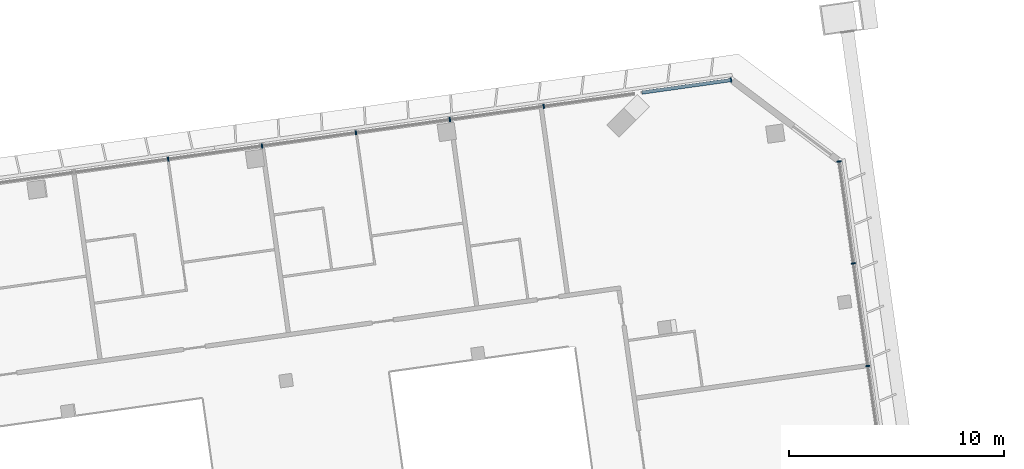
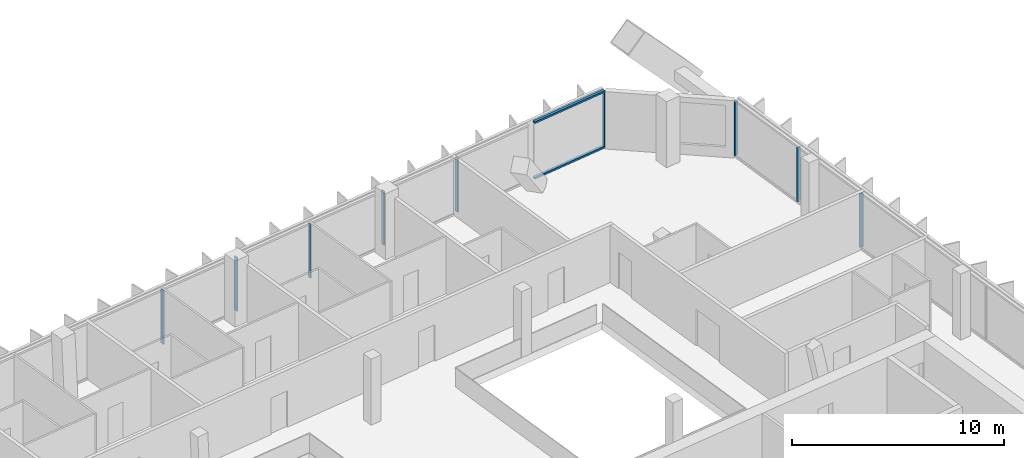
# One storey, part 14 of 29: 11 members, 2 elements without a shape of their own.
"""IFC4 building model written with IfcOpenShell, lengths in metres."""

from ifc_helpers import new_model, si_unit, direction, frame, origin, origin_2d, place, context, subcontext, project, spatial, rectangle, extrude, material, material_profile, profile_set, type_object, element, aggregate, save


model = new_model("IFC4")

# Units and contexts
model_context = context("Model", 3, precision=1e-05, world=origin(), true_north=direction((0.0, 1.0)))
body_context = subcontext(model_context, "Body", "Model", "MODEL_VIEW")
ifc_project = project(units=[si_unit("LENGTHUNIT", "METRE"), si_unit("AREAUNIT", "SQUARE_METRE"), si_unit("VOLUMEUNIT", "CUBIC_METRE"), si_unit("PLANEANGLEUNIT", "RADIAN"), si_unit("MASSUNIT", "GRAM", prefix="KILO")], contexts=[model_context])

# Site, building, storey
site_placement = place(None, origin())
site = spatial("IfcSite", under=ifc_project, at=site_placement, CompositionType="ELEMENT")
building_placement = place(site_placement, origin())
building = spatial("IfcBuilding", under=site, at=building_placement, Name="Mirante Cascada Hotel Towers", CompositionType="ELEMENT")
storey_placement = place(building_placement, frame((0.0, 0.0, 206.8)))
storey = spatial("IfcBuildingStorey", under=building, at=storey_placement, Name="L49", CompositionType="ELEMENT", Elevation=206.8)

# Curtain wall, members
ifc_material_1 = material(Name="Aluminium mullion and transom frame with clear laminated glass", Category="aluminium")
curtain_wall_type_1 = type_object("IfcCurtainWallType", Name="Ribbon curtain wall ECW1", PredefinedType="NOTDEFINED", material=ifc_material_1)
curtain_wall_1_placement = place(storey_placement, origin())
curtain_wall_1 = element("IfcCurtainWall", 1, at=curtain_wall_1_placement, inside=storey, type_object=curtain_wall_type_1, Name="Front ribbon wall T2 L49", PredefinedType="NOTDEFINED")
ifc_material_2 = material(Name="Anodised aluminium extrusion", Category="aluminium")
ifc_material_profile_1 = material_profile(ifc_material_2, rectangle(XDim=0.2, YDim=0.065, at=origin_2d()), Name="ECW1 MULLION 65x200")
ifc_profile_set_1 = profile_set([ifc_material_profile_1], Name="Anodised aluminium extrusion")
member_type_1 = type_object("IfcMemberType", Name="ECW1 mullion 65x200", PredefinedType="MULLION", material=ifc_profile_set_1)
member_1_placement = place(storey_placement, frame((76.3011, 23.5425, 0.1), z_axis=(0.0, 0.0, 1.0), x_axis=(0.1391731, -0.9902681, 0.0)))
member_1 = element("IfcMember", 2, at=member_1_placement, type_object=member_type_1, Name="ECW1 mullion 1", PredefinedType="MULLION", context=body_context, shape_type="SweptSolid", body=[
    extrude(rectangle(XDim=0.2, YDim=0.065, at=origin_2d()), origin(), (0.0, 0.0, 1.0), 3.1),
])
member_2_placement = place(storey_placement, frame((67.6077, 22.3207, 0.1), z_axis=(0.0, 0.0, 1.0), x_axis=(0.1391731, -0.9902681, 0.0)))
member_2 = element("IfcMember", 3, at=member_2_placement, type_object=member_type_1, Name="ECW1 mullion 3", PredefinedType="MULLION", context=body_context, shape_type="SweptSolid", body=[
    extrude(rectangle(XDim=0.2, YDim=0.065, at=origin_2d()), origin(), (0.0, 0.0, 1.0), 3.1),
])
member_3_placement = place(storey_placement, frame((63.2449, 21.7075, 0.1), z_axis=(0.0, 0.0, 1.0), x_axis=(0.1391731, -0.9902681, 0.0)))
member_3 = element("IfcMember", 4, at=member_3_placement, type_object=member_type_1, Name="ECW1 mullion 4", PredefinedType="MULLION", context=body_context, shape_type="SweptSolid", body=[
    extrude(rectangle(XDim=0.2, YDim=0.065, at=origin_2d()), origin(), (0.0, 0.0, 1.0), 3.1),
])
member_4_placement = place(storey_placement, frame((58.8821, 21.0944, 0.1), z_axis=(0.0, 0.0, 1.0), x_axis=(0.1391731, -0.9902681, 0.0)))
member_4 = element("IfcMember", 5, at=member_4_placement, type_object=member_type_1, Name="ECW1 mullion 5", PredefinedType="MULLION", context=body_context, shape_type="SweptSolid", body=[
    extrude(rectangle(XDim=0.2, YDim=0.065, at=origin_2d()), origin(), (0.0, 0.0, 1.0), 3.1),
])
member_5_placement = place(storey_placement, frame((54.5193, 20.4812, 0.1), z_axis=(0.0, 0.0, 1.0), x_axis=(0.1391731, -0.9902681, 0.0)))
member_5 = element("IfcMember", 6, at=member_5_placement, type_object=member_type_1, Name="ECW1 mullion 6", PredefinedType="MULLION", context=body_context, shape_type="SweptSolid", body=[
    extrude(rectangle(XDim=0.2, YDim=0.065, at=origin_2d()), origin(), (0.0, 0.0, 1.0), 3.1),
])
member_6_placement = place(storey_placement, frame((50.1566, 19.8681, 0.1), z_axis=(0.0, 0.0, 1.0), x_axis=(0.1391731, -0.9902681, 0.0)))
member_6 = element("IfcMember", 7, at=member_6_placement, type_object=member_type_1, Name="ECW1 mullion 7", PredefinedType="MULLION", context=body_context, shape_type="SweptSolid", body=[
    extrude(rectangle(XDim=0.2, YDim=0.065, at=origin_2d()), origin(), (0.0, 0.0, 1.0), 3.1),
])
ifc_material_3 = material(Name="Anodised aluminium extrusion", Category="aluminium")
ifc_material_profile_2 = material_profile(ifc_material_3, rectangle(XDim=0.16, YDim=0.1, at=origin_2d()), Name="ECW1 TRANSOM 100x160")
ifc_profile_set_2 = profile_set([ifc_material_profile_2], Name="Anodised aluminium extrusion")
member_type_2 = type_object("IfcMemberType", Name="ECW1 transom 100x160", PredefinedType="USERDEFINED", material=ifc_profile_set_2)
member_7_placement = place(storey_placement, frame((76.3333, 23.547, 0.05), z_axis=(-0.9902683, -0.1391714, 0.0), x_axis=(0.1391714, -0.9902683, 0.0)))
member_7 = element("IfcMember", 8, at=member_7_placement, type_object=member_type_2, Name="ECW1 sill transom", ObjectType="TRANSOM", PredefinedType="USERDEFINED", context=body_context, shape_type="SweptSolid", body=[
    extrude(rectangle(XDim=0.16, YDim=0.1, at=origin_2d()), origin(), (0.0, 0.0, 1.0), 4.207),
])
member_8_placement = place(storey_placement, frame((76.3333, 23.547, 3.25), z_axis=(-0.9902683, -0.1391714, 0.0), x_axis=(0.1391714, -0.9902683, 0.0)))
member_8 = element("IfcMember", 9, at=member_8_placement, type_object=member_type_2, Name="ECW1 head transom", ObjectType="TRANSOM", PredefinedType="USERDEFINED", context=body_context, shape_type="SweptSolid", body=[
    extrude(rectangle(XDim=0.16, YDim=0.1, at=origin_2d()), origin(), (0.0, 0.0, 1.0), 4.207),
])
aggregate(curtain_wall_1, [member_7, member_8, member_1, member_2, member_3, member_4, member_5, member_6])

ifc_material_4 = material(Name="Aluminium mullion and transom frame with clear laminated glass", Category="aluminium")
curtain_wall_type_2 = type_object("IfcCurtainWallType", Name="End ribbon curtain wall ECW2", PredefinedType="NOTDEFINED", material=ifc_material_4)
curtain_wall_2_placement = place(storey_placement, origin())
curtain_wall_2 = element("IfcCurtainWall", 10, at=curtain_wall_2_placement, inside=storey, type_object=curtain_wall_type_2, Name="Outer end wall T2 L49", PredefinedType="NOTDEFINED")
ifc_material_5 = material(Name="Anodised aluminium extrusion", Category="aluminium")
ifc_material_profile_3 = material_profile(ifc_material_5, rectangle(XDim=0.2, YDim=0.065, at=origin_2d()), Name="ECW2 MULLION 65x200")
ifc_profile_set_3 = profile_set([ifc_material_profile_3], Name="Anodised aluminium extrusion")
member_type_3 = type_object("IfcMemberType", Name="ECW2 mullion 65x200", PredefinedType="MULLION", material=ifc_profile_set_3)
member_9_placement = place(storey_placement, frame((82.6561, 10.2603, 0.1), z_axis=(0.0, 0.0, 1.0), x_axis=(-0.9902681, -0.1391731, 0.0)))
member_9 = element("IfcMember", 11, at=member_9_placement, type_object=member_type_3, Name="ECW2 mullion 5", PredefinedType="MULLION", context=body_context, shape_type="SweptSolid", body=[
    extrude(rectangle(XDim=0.2, YDim=0.065, at=origin_2d()), origin(), (0.0, 0.0, 1.0), 3.1),
])
member_10_placement = place(storey_placement, frame((81.9864, 15.026, 0.1), z_axis=(0.0, 0.0, 1.0), x_axis=(-0.9902681, -0.1391731, 0.0)))
member_10 = element("IfcMember", 12, at=member_10_placement, type_object=member_type_3, Name="ECW2 mullion 6", PredefinedType="MULLION", context=body_context, shape_type="SweptSolid", body=[
    extrude(rectangle(XDim=0.2, YDim=0.065, at=origin_2d()), origin(), (0.0, 0.0, 1.0), 3.1),
])
member_11_placement = place(storey_placement, frame((81.3211, 19.7596, 0.1), z_axis=(0.0, 0.0, 1.0), x_axis=(-0.9902681, -0.1391731, 0.0)))
member_11 = element("IfcMember", 13, at=member_11_placement, type_object=member_type_3, Name="ECW2 mullion 7", PredefinedType="MULLION", context=body_context, shape_type="SweptSolid", body=[
    extrude(rectangle(XDim=0.2, YDim=0.065, at=origin_2d()), origin(), (0.0, 0.0, 1.0), 3.1),
])
aggregate(curtain_wall_2, [member_9, member_10, member_11])

save(model, "model.ifc")
